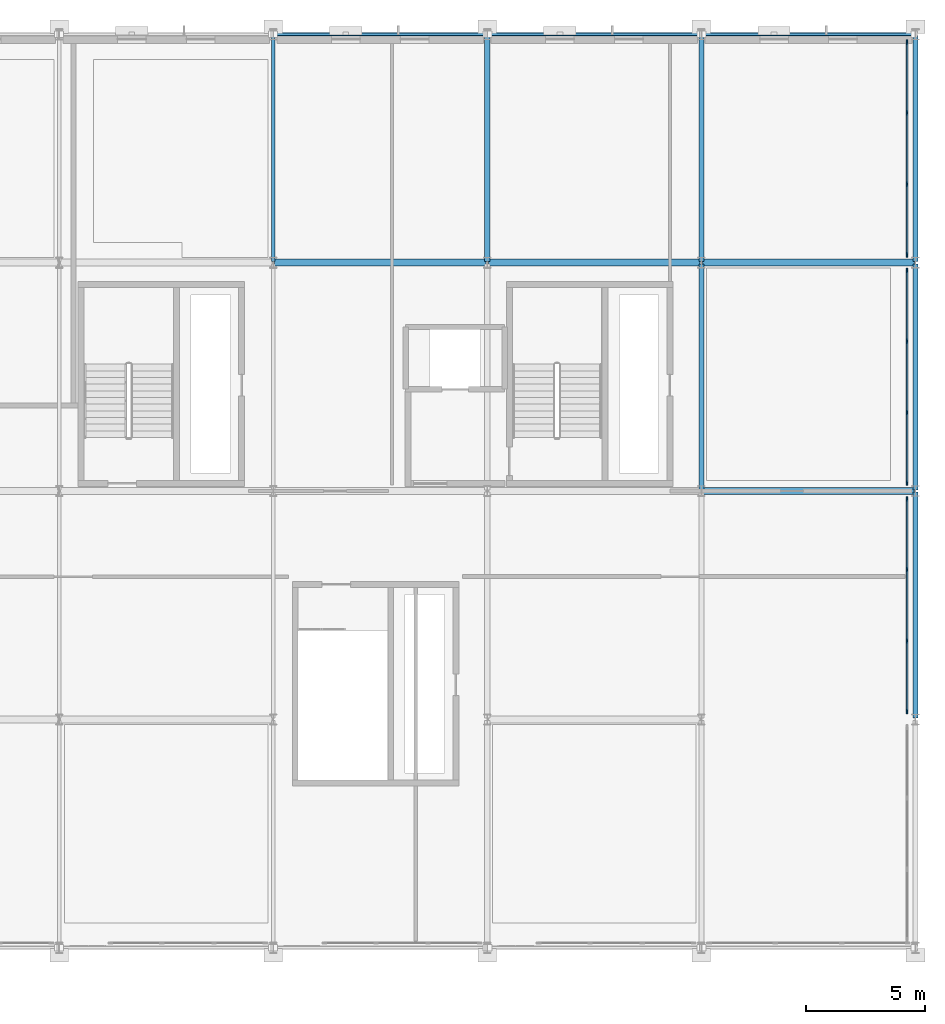
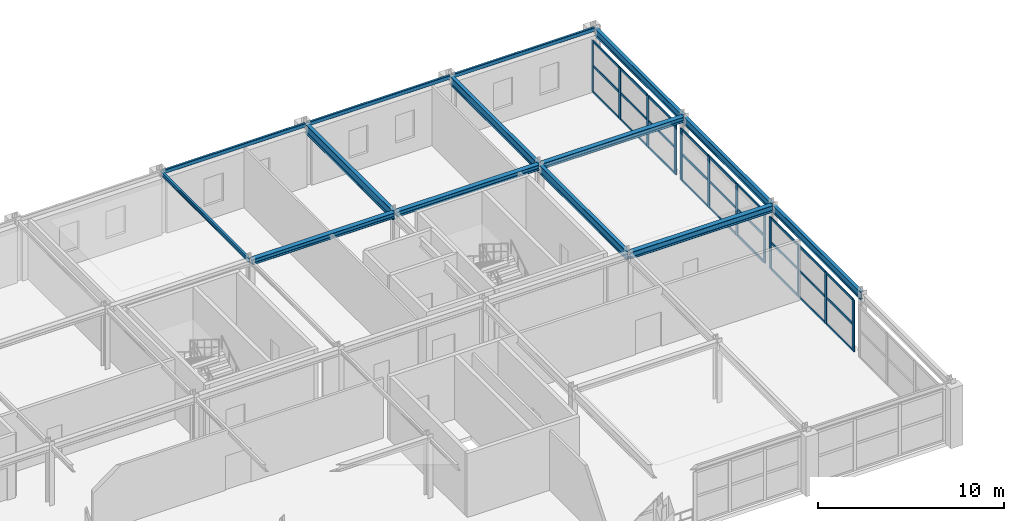
# One storey, part 33 of 81: 39 members, 14 beams, 3 elements without a shape of their own.
"""IFC4 building model written with IfcOpenShell, lengths in metres."""

from ifc_helpers import new_model, si_unit, direction, frame, origin, origin_2d, place, context, subcontext, project, spatial, rectangle, hollow_rectangle, i_section, extrude, material, layer, layer_set, material_profile, profile_set, type_object, element, aggregate, save


model = new_model("IFC4")

# Units and contexts
model_context = context("Model", 3, precision=1e-05, world=origin(), true_north=direction((0.0, 1.0)))
body_context = subcontext(model_context, "Body", "Model", "MODEL_VIEW")
ifc_project = project(units=[si_unit("LENGTHUNIT", "METRE"), si_unit("AREAUNIT", "SQUARE_METRE"), si_unit("VOLUMEUNIT", "CUBIC_METRE"), si_unit("PLANEANGLEUNIT", "RADIAN"), si_unit("MASSUNIT", "GRAM", prefix="KILO")], contexts=[model_context])

# Site, building, storey
site_placement = place(None, origin())
site = spatial("IfcSite", under=ifc_project, at=site_placement, CompositionType="ELEMENT")
building_placement = place(site_placement, origin())
building = spatial("IfcBuilding", under=site, at=building_placement, Name="Myrtia Square Station", CompositionType="ELEMENT")
storey_placement = place(building_placement, frame((0.0, 0.0, 10.800048828125)))
storey = spatial("IfcBuildingStorey", under=building, at=storey_placement, Name="L02", CompositionType="ELEMENT", Elevation=10.800048828125)

# Beams
ifc_material_1 = material(Name="Steel S355", Category="steel")
ifc_material_profile_1 = material_profile(ifc_material_1, i_section(OverallWidth=0.300048828125, OverallDepth=0.35009765625, WebThickness=0.010009765625, FlangeThickness=0.017578125, FilletRadius=0.027099609375, at=origin_2d()), Name="HEA 360")
ifc_profile_set_1 = profile_set([ifc_material_profile_1], Name="Steel S355")
beam_type_1 = type_object("IfcBeamType", Name="BM-HEA360", PredefinedType="BEAM", material=ifc_profile_set_1)
for number, where, z_axis, x_axis, name in (
    (1, (162.050048828125, 115.199951171875, 3.784912109375), (1.0, 0.0, 0.0), (0.0, 1.0, 0.0), "Structural girder BMX-L02-0769"),
    (2, (171.050048828125, 115.199951171875, 3.784912109375), (1.0, 0.0, 0.0), (0.0, 1.0, 0.0), "Structural girder BMX-L02-0770"),
    (3, (180.050048828125, 115.199951171875, 3.784912109375), (1.0, 0.0, 0.0), (0.0, 1.0, 0.0), "Structural girder BMX-L02-0771"),
):
    element("IfcBeam", number, at=place(storey_placement, frame(where, z_axis=z_axis, x_axis=x_axis)), inside=storey, type_object=beam_type_1, Name=name, PredefinedType="BEAM", context=body_context, shape_type="SweptSolid", body=[
        extrude(i_section(OverallWidth=0.300048828125, OverallDepth=0.35009765625, WebThickness=0.010009765625, FlangeThickness=0.017578125, FilletRadius=0.027099609375, at=origin_2d()), origin(), (0.0, 0.0, 1.0), 8.89990234375),
    ])
ifc_material_profile_2 = material_profile(ifc_material_1, i_section(OverallWidth=0.300048828125, OverallDepth=0.43994140625, WebThickness=0.011474609375, FlangeThickness=0.02099609375, FilletRadius=0.027099609375, at=origin_2d()), Name="HEA 450")
ifc_profile_set_2 = profile_set([ifc_material_profile_2], Name="Steel S355")
beam_type_2 = type_object("IfcBeamType", Name="BM-HEA450", PredefinedType="BEAM", material=ifc_profile_set_2)
beam_1_placement = place(storey_placement, frame((180.050048828125, 105.60009765625, 3.739990234375), z_axis=(1.0, 0.0, 0.0), x_axis=(0.0, 1.0, 0.0)))
element("IfcBeam", 4, at=beam_1_placement, inside=storey, type_object=beam_type_2, Name="Structural girder BMX-L02-0763", PredefinedType="BEAM", context=body_context, shape_type="SweptSolid", body=[
    extrude(i_section(OverallWidth=0.300048828125, OverallDepth=0.43994140625, WebThickness=0.011474609375, FlangeThickness=0.02099609375, FilletRadius=0.027099609375, at=origin_2d()), origin(), (0.0, 0.0, 1.0), 8.89990234375),
])
ifc_material_profile_3 = material_profile(ifc_material_1, i_section(OverallWidth=0.135009765625, OverallDepth=0.27001953125, WebThickness=0.006591796875, FlangeThickness=0.01025390625, FilletRadius=0.014892578125, at=origin_2d()), Name="IPE 270")
ifc_profile_set_3 = profile_set([ifc_material_profile_3], Name="Steel S355")
beam_type_3 = type_object("IfcBeamType", Name="BM-IPE270", PredefinedType="BEAM", material=ifc_profile_set_3)
beam_2_placement = place(storey_placement, frame((162.0, 115.25, 3.824951171875), z_axis=(0.0, 1.0, 0.0), x_axis=(-1.0, 0.0, 0.0)))
element("IfcBeam", 5, at=beam_2_placement, inside=storey, type_object=beam_type_3, Name="Structural girder BMY-L02-0794", PredefinedType="BEAM", context=body_context, shape_type="SweptSolid", body=[
    extrude(i_section(OverallWidth=0.135009765625, OverallDepth=0.27001953125, WebThickness=0.006591796875, FlangeThickness=0.01025390625, FilletRadius=0.014892578125, at=origin_2d()), origin(), (0.0, 0.0, 1.0), 9.5),
])
ifc_material_profile_4 = material_profile(ifc_material_1, i_section(OverallWidth=0.199951171875, OverallDepth=0.5, WebThickness=0.01025390625, FlangeThickness=0.01611328125, FilletRadius=0.02099609375, at=origin_2d()), Name="IPE 500")
ifc_profile_set_4 = profile_set([ifc_material_profile_4], Name="Steel S355")
beam_type_4 = type_object("IfcBeamType", Name="BM-IPE500", PredefinedType="BEAM", material=ifc_profile_set_4)
for number, where, z_axis, x_axis, name in (
    (6, (189.0, 96.050048828125, 3.7099609375), (0.0, 1.0, 0.0), (-1.0, 0.0, 0.0), "Structural girder BMY-L02-0804"),
    (7, (189.0, 105.64990234375, 3.7099609375), (0.0, 1.0, 0.0), (-1.0, 0.0, 0.0), "Structural girder BMY-L02-0805"),
    (8, (189.0, 115.25, 3.7099609375), (0.0, 1.0, 0.0), (-1.0, 0.0, 0.0), "Structural girder BMY-L02-0806"),
):
    element("IfcBeam", number, at=place(storey_placement, frame(where, z_axis=z_axis, x_axis=x_axis)), inside=storey, type_object=beam_type_4, Name=name, PredefinedType="BEAM", context=body_context, shape_type="SweptSolid", body=[
        extrude(i_section(OverallWidth=0.199951171875, OverallDepth=0.5, WebThickness=0.01025390625, FlangeThickness=0.01611328125, FilletRadius=0.02099609375, at=origin_2d()), origin(), (0.0, 0.0, 1.0), 9.5),
    ])
ifc_material_profile_5 = material_profile(ifc_material_1, i_section(OverallWidth=0.2099609375, OverallDepth=0.550048828125, WebThickness=0.010986328125, FlangeThickness=0.01708984375, FilletRadius=0.02392578125, at=origin_2d()), Name="IPE 550")
ifc_profile_set_5 = profile_set([ifc_material_profile_5], Name="Steel S355")
beam_type_5 = type_object("IfcBeamType", Name="BM-IPE550", PredefinedType="BEAM", material=ifc_profile_set_5)
for number, where, z_axis, x_axis, name in (
    (9, (180.0, 105.64990234375, 3.68505859375), (0.0, 1.0, 0.0), (-1.0, 0.0, 0.0), "Structural girder BMY-L02-0801"),
    (10, (180.0, 115.25, 3.68505859375), (0.0, 1.0, 0.0), (-1.0, 0.0, 0.0), "Structural girder BMY-L02-0802"),
):
    element("IfcBeam", number, at=place(storey_placement, frame(where, z_axis=z_axis, x_axis=x_axis)), inside=storey, type_object=beam_type_5, Name=name, PredefinedType="BEAM", context=body_context, shape_type="SweptSolid", body=[
        extrude(i_section(OverallWidth=0.2099609375, OverallDepth=0.550048828125, WebThickness=0.010986328125, FlangeThickness=0.01708984375, FilletRadius=0.02392578125, at=origin_2d()), origin(), (0.0, 0.0, 1.0), 9.5),
    ])
ifc_material_profile_6 = material_profile(ifc_material_1, i_section(OverallWidth=0.219970703125, OverallDepth=0.60009765625, WebThickness=0.011962890625, FlangeThickness=0.01904296875, FilletRadius=0.02392578125, at=origin_2d()), Name="IPE 600")
ifc_profile_set_6 = profile_set([ifc_material_profile_6], Name="Steel S355")
beam_type_6 = type_object("IfcBeamType", Name="BM-IPE600", PredefinedType="BEAM", material=ifc_profile_set_6)
beam_3_placement = place(storey_placement, frame((171.0, 115.25, 3.659912109375), z_axis=(0.0, 1.0, 0.0), x_axis=(-1.0, 0.0, 0.0)))
element("IfcBeam", 11, at=beam_3_placement, inside=storey, type_object=beam_type_6, Name="Structural girder BMY-L02-0798", PredefinedType="BEAM", context=body_context, shape_type="SweptSolid", body=[
    extrude(i_section(OverallWidth=0.219970703125, OverallDepth=0.60009765625, WebThickness=0.011962890625, FlangeThickness=0.01904296875, FilletRadius=0.02392578125, at=origin_2d()), origin(), (0.0, 0.0, 1.0), 9.5),
])

# Curtain wall, members
ifc_material_2 = material(Name="Dark bronze anodised aluminium", Category="aluminium")
ifc_layer = layer(ifc_material_2, 0.159912109375, Name="Dark bronze anodised aluminium")
ifc_layer_set = layer_set([ifc_layer], Name="Dark bronze anodised aluminium")
curtain_wall_type = type_object("IfcCurtainWallType", Name="CW-TYPE-49-900x340", PredefinedType="USERDEFINED", material=ifc_layer_set)
curtain_wall_1_placement = place(storey_placement, origin())
curtain_wall_1 = element("IfcCurtainWall", 12, at=curtain_wall_1_placement, inside=storey, type_object=curtain_wall_type, Name="Concourse curtain wall CW-L02-160", ObjectType="CONCOURSE CURTAIN WALL", PredefinedType="USERDEFINED")
ifc_material_profile_7 = material_profile(ifc_material_2, rectangle(XDim=0.06494140625, YDim=0.199951171875, at=origin_2d()), Name="ALU-M 65x200")
ifc_profile_set_7 = profile_set([ifc_material_profile_7], Name="Dark bronze anodised aluminium")
member_type_1 = type_object("IfcMemberType", Name="CWM-65x200", PredefinedType="MULLION", material=ifc_profile_set_7)
member_1_placement = place(storey_placement, frame((188.64990234375, 96.33251953125, 0.0), z_axis=(0.0, 0.0, 1.0), x_axis=(-1.0, 0.0, 0.0)))
member_1 = element("IfcMember", 13, at=member_1_placement, type_object=member_type_1, Name="CW-160 mullion 1", PredefinedType="MULLION", context=body_context, shape_type="SweptSolid", body=[
    extrude(rectangle(XDim=0.06494140625, YDim=0.199951171875, at=origin_2d()), origin(), (0.0, 0.0, 1.0), 3.39990234375),
])
member_2_placement = place(storey_placement, frame((188.64990234375, 99.300048828125, 0.0), z_axis=(0.0, 0.0, 1.0), x_axis=(-1.0, 0.0, 0.0)))
member_2 = element("IfcMember", 14, at=member_2_placement, type_object=member_type_1, Name="CW-160 mullion 2", PredefinedType="MULLION", context=body_context, shape_type="SweptSolid", body=[
    extrude(rectangle(XDim=0.06494140625, YDim=0.199951171875, at=origin_2d()), origin(), (0.0, 0.0, 1.0), 3.39990234375),
])
member_3_placement = place(storey_placement, frame((188.64990234375, 102.300048828125, 0.0), z_axis=(0.0, 0.0, 1.0), x_axis=(-1.0, 0.0, 0.0)))
member_3 = element("IfcMember", 15, at=member_3_placement, type_object=member_type_1, Name="CW-160 mullion 3", PredefinedType="MULLION", context=body_context, shape_type="SweptSolid", body=[
    extrude(rectangle(XDim=0.06494140625, YDim=0.199951171875, at=origin_2d()), origin(), (0.0, 0.0, 1.0), 3.39990234375),
])
member_4_placement = place(storey_placement, frame((188.64990234375, 105.267578125, 0.0), z_axis=(0.0, 0.0, 1.0), x_axis=(-1.0, 0.0, 0.0)))
member_4 = element("IfcMember", 16, at=member_4_placement, type_object=member_type_1, Name="CW-160 mullion 4", PredefinedType="MULLION", context=body_context, shape_type="SweptSolid", body=[
    extrude(rectangle(XDim=0.06494140625, YDim=0.199951171875, at=origin_2d()), origin(), (0.0, 0.0, 1.0), 3.39990234375),
])

curtain_wall_2_placement = place(storey_placement, origin())
curtain_wall_2 = element("IfcCurtainWall", 17, at=curtain_wall_2_placement, inside=storey, type_object=curtain_wall_type, Name="Concourse curtain wall CW-L02-162", ObjectType="CONCOURSE CURTAIN WALL", PredefinedType="USERDEFINED")
member_5_placement = place(storey_placement, frame((188.64990234375, 105.9326171875, 0.0), z_axis=(0.0, 0.0, 1.0), x_axis=(-1.0, 0.0, 0.0)))
member_5 = element("IfcMember", 18, at=member_5_placement, type_object=member_type_1, Name="CW-162 mullion 1", PredefinedType="MULLION", context=body_context, shape_type="SweptSolid", body=[
    extrude(rectangle(XDim=0.06494140625, YDim=0.199951171875, at=origin_2d()), origin(), (0.0, 0.0, 1.0), 3.39990234375),
])
member_6_placement = place(storey_placement, frame((188.64990234375, 108.89990234375, 0.0), z_axis=(0.0, 0.0, 1.0), x_axis=(-1.0, 0.0, 0.0)))
member_6 = element("IfcMember", 19, at=member_6_placement, type_object=member_type_1, Name="CW-162 mullion 2", PredefinedType="MULLION", context=body_context, shape_type="SweptSolid", body=[
    extrude(rectangle(XDim=0.06494140625, YDim=0.199951171875, at=origin_2d()), origin(), (0.0, 0.0, 1.0), 3.39990234375),
])
member_7_placement = place(storey_placement, frame((188.64990234375, 111.89990234375, 0.0), z_axis=(0.0, 0.0, 1.0), x_axis=(-1.0, 0.0, 0.0)))
member_7 = element("IfcMember", 20, at=member_7_placement, type_object=member_type_1, Name="CW-162 mullion 3", PredefinedType="MULLION", context=body_context, shape_type="SweptSolid", body=[
    extrude(rectangle(XDim=0.06494140625, YDim=0.199951171875, at=origin_2d()), origin(), (0.0, 0.0, 1.0), 3.39990234375),
])
member_8_placement = place(storey_placement, frame((188.64990234375, 114.867431640625, 0.0), z_axis=(0.0, 0.0, 1.0), x_axis=(-1.0, 0.0, 0.0)))
member_8 = element("IfcMember", 21, at=member_8_placement, type_object=member_type_1, Name="CW-162 mullion 4", PredefinedType="MULLION", context=body_context, shape_type="SweptSolid", body=[
    extrude(rectangle(XDim=0.06494140625, YDim=0.199951171875, at=origin_2d()), origin(), (0.0, 0.0, 1.0), 3.39990234375),
])

curtain_wall_3_placement = place(storey_placement, origin())
curtain_wall_3 = element("IfcCurtainWall", 22, at=curtain_wall_3_placement, inside=storey, type_object=curtain_wall_type, Name="Concourse curtain wall CW-L02-164", ObjectType="CONCOURSE CURTAIN WALL", PredefinedType="USERDEFINED")
member_9_placement = place(storey_placement, frame((188.64990234375, 115.532470703125, 0.0), z_axis=(0.0, 0.0, 1.0), x_axis=(-1.0, 0.0, 0.0)))
member_9 = element("IfcMember", 23, at=member_9_placement, type_object=member_type_1, Name="CW-164 mullion 1", PredefinedType="MULLION", context=body_context, shape_type="SweptSolid", body=[
    extrude(rectangle(XDim=0.06494140625, YDim=0.199951171875, at=origin_2d()), origin(), (0.0, 0.0, 1.0), 3.39990234375),
])
member_10_placement = place(storey_placement, frame((188.64990234375, 118.5, 0.0), z_axis=(0.0, 0.0, 1.0), x_axis=(-1.0, 0.0, 0.0)))
member_10 = element("IfcMember", 24, at=member_10_placement, type_object=member_type_1, Name="CW-164 mullion 2", PredefinedType="MULLION", context=body_context, shape_type="SweptSolid", body=[
    extrude(rectangle(XDim=0.06494140625, YDim=0.199951171875, at=origin_2d()), origin(), (0.0, 0.0, 1.0), 3.39990234375),
])
member_11_placement = place(storey_placement, frame((188.64990234375, 121.5, 0.0), z_axis=(0.0, 0.0, 1.0), x_axis=(-1.0, 0.0, 0.0)))
member_11 = element("IfcMember", 25, at=member_11_placement, type_object=member_type_1, Name="CW-164 mullion 3", PredefinedType="MULLION", context=body_context, shape_type="SweptSolid", body=[
    extrude(rectangle(XDim=0.06494140625, YDim=0.199951171875, at=origin_2d()), origin(), (0.0, 0.0, 1.0), 3.39990234375),
])
member_12_placement = place(storey_placement, frame((188.64990234375, 124.467529296875, 0.0), z_axis=(0.0, 0.0, 1.0), x_axis=(-1.0, 0.0, 0.0)))
member_12 = element("IfcMember", 26, at=member_12_placement, type_object=member_type_1, Name="CW-164 mullion 4", PredefinedType="MULLION", context=body_context, shape_type="SweptSolid", body=[
    extrude(rectangle(XDim=0.06494140625, YDim=0.199951171875, at=origin_2d()), origin(), (0.0, 0.0, 1.0), 3.39990234375),
])

# Member
ifc_material_profile_8 = material_profile(ifc_material_2, rectangle(XDim=0.06494140625, YDim=0.14990234375, at=origin_2d()), Name="ALU-T 65x150")
ifc_profile_set_8 = profile_set([ifc_material_profile_8], Name="Dark bronze anodised aluminium")
member_type_2 = type_object("IfcMemberType", Name="CWT-65x150", PredefinedType="USERDEFINED", material=ifc_profile_set_8)
member_13_placement = place(storey_placement, frame((188.64990234375, 96.364990234375, 0.032470703125), z_axis=(0.0, 1.0, 0.0), x_axis=(-1.0, 0.0, 0.0)))
member_13 = element("IfcMember", 27, at=member_13_placement, type_object=member_type_2, Name="CW-160 transom 1.1", ObjectType="TRANSOM", PredefinedType="USERDEFINED", context=body_context, shape_type="SweptSolid", body=[
    extrude(rectangle(XDim=0.06494140625, YDim=0.14990234375, at=origin_2d()), origin(), (0.0, 0.0, 1.0), 2.902587890625),
])

member_14_placement = place(storey_placement, frame((188.64990234375, 96.364990234375, 1.76806640625), z_axis=(0.0, 1.0, 0.0), x_axis=(-1.0, 0.0, 0.0)))
member_14 = element("IfcMember", 28, at=member_14_placement, type_object=member_type_2, Name="CW-160 transom 1.2", ObjectType="TRANSOM", PredefinedType="USERDEFINED", context=body_context, shape_type="SweptSolid", body=[
    extrude(rectangle(XDim=0.06494140625, YDim=0.14990234375, at=origin_2d()), origin(), (0.0, 0.0, 1.0), 2.902587890625),
])

member_15_placement = place(storey_placement, frame((188.64990234375, 96.364990234375, 3.367431640625), z_axis=(0.0, 1.0, 0.0), x_axis=(-1.0, 0.0, 0.0)))
member_15 = element("IfcMember", 29, at=member_15_placement, type_object=member_type_2, Name="CW-160 transom 1.3", ObjectType="TRANSOM", PredefinedType="USERDEFINED", context=body_context, shape_type="SweptSolid", body=[
    extrude(rectangle(XDim=0.06494140625, YDim=0.14990234375, at=origin_2d()), origin(), (0.0, 0.0, 1.0), 2.902587890625),
])

member_16_placement = place(storey_placement, frame((188.64990234375, 99.33251953125, 0.032470703125), z_axis=(0.0, 1.0, 0.0), x_axis=(-1.0, 0.0, 0.0)))
member_16 = element("IfcMember", 30, at=member_16_placement, type_object=member_type_2, Name="CW-160 transom 2.1", ObjectType="TRANSOM", PredefinedType="USERDEFINED", context=body_context, shape_type="SweptSolid", body=[
    extrude(rectangle(XDim=0.06494140625, YDim=0.14990234375, at=origin_2d()), origin(), (0.0, 0.0, 1.0), 2.93505859375),
])

member_17_placement = place(storey_placement, frame((188.64990234375, 99.33251953125, 1.76806640625), z_axis=(0.0, 1.0, 0.0), x_axis=(-1.0, 0.0, 0.0)))
member_17 = element("IfcMember", 31, at=member_17_placement, type_object=member_type_2, Name="CW-160 transom 2.2", ObjectType="TRANSOM", PredefinedType="USERDEFINED", context=body_context, shape_type="SweptSolid", body=[
    extrude(rectangle(XDim=0.06494140625, YDim=0.14990234375, at=origin_2d()), origin(), (0.0, 0.0, 1.0), 2.93505859375),
])

member_18_placement = place(storey_placement, frame((188.64990234375, 99.33251953125, 3.367431640625), z_axis=(0.0, 1.0, 0.0), x_axis=(-1.0, 0.0, 0.0)))
member_18 = element("IfcMember", 32, at=member_18_placement, type_object=member_type_2, Name="CW-160 transom 2.3", ObjectType="TRANSOM", PredefinedType="USERDEFINED", context=body_context, shape_type="SweptSolid", body=[
    extrude(rectangle(XDim=0.06494140625, YDim=0.14990234375, at=origin_2d()), origin(), (0.0, 0.0, 1.0), 2.93505859375),
])

member_19_placement = place(storey_placement, frame((188.64990234375, 102.33251953125, 0.032470703125), z_axis=(0.0, 1.0, 0.0), x_axis=(-1.0, 0.0, 0.0)))
member_19 = element("IfcMember", 33, at=member_19_placement, type_object=member_type_2, Name="CW-160 transom 3.1", ObjectType="TRANSOM", PredefinedType="USERDEFINED", context=body_context, shape_type="SweptSolid", body=[
    extrude(rectangle(XDim=0.06494140625, YDim=0.14990234375, at=origin_2d()), origin(), (0.0, 0.0, 1.0), 2.902587890625),
])

member_20_placement = place(storey_placement, frame((188.64990234375, 102.33251953125, 1.76806640625), z_axis=(0.0, 1.0, 0.0), x_axis=(-1.0, 0.0, 0.0)))
member_20 = element("IfcMember", 34, at=member_20_placement, type_object=member_type_2, Name="CW-160 transom 3.2", ObjectType="TRANSOM", PredefinedType="USERDEFINED", context=body_context, shape_type="SweptSolid", body=[
    extrude(rectangle(XDim=0.06494140625, YDim=0.14990234375, at=origin_2d()), origin(), (0.0, 0.0, 1.0), 2.902587890625),
])

member_21_placement = place(storey_placement, frame((188.64990234375, 102.33251953125, 3.367431640625), z_axis=(0.0, 1.0, 0.0), x_axis=(-1.0, 0.0, 0.0)))
member_21 = element("IfcMember", 35, at=member_21_placement, type_object=member_type_2, Name="CW-160 transom 3.3", ObjectType="TRANSOM", PredefinedType="USERDEFINED", context=body_context, shape_type="SweptSolid", body=[
    extrude(rectangle(XDim=0.06494140625, YDim=0.14990234375, at=origin_2d()), origin(), (0.0, 0.0, 1.0), 2.902587890625),
])

aggregate(curtain_wall_1, [member_1, member_2, member_3, member_4, member_13, member_14, member_15, member_16, member_17, member_18, member_19, member_20, member_21])

member_22_placement = place(storey_placement, frame((188.64990234375, 105.965087890625, 0.032470703125), z_axis=(0.0, 1.0, 0.0), x_axis=(-1.0, 0.0, 0.0)))
member_22 = element("IfcMember", 36, at=member_22_placement, type_object=member_type_2, Name="CW-162 transom 1.1", ObjectType="TRANSOM", PredefinedType="USERDEFINED", context=body_context, shape_type="SweptSolid", body=[
    extrude(rectangle(XDim=0.06494140625, YDim=0.14990234375, at=origin_2d()), origin(), (0.0, 0.0, 1.0), 2.90234375),
])

member_23_placement = place(storey_placement, frame((188.64990234375, 105.965087890625, 1.76806640625), z_axis=(0.0, 1.0, 0.0), x_axis=(-1.0, 0.0, 0.0)))
member_23 = element("IfcMember", 37, at=member_23_placement, type_object=member_type_2, Name="CW-162 transom 1.2", ObjectType="TRANSOM", PredefinedType="USERDEFINED", context=body_context, shape_type="SweptSolid", body=[
    extrude(rectangle(XDim=0.06494140625, YDim=0.14990234375, at=origin_2d()), origin(), (0.0, 0.0, 1.0), 2.90234375),
])

member_24_placement = place(storey_placement, frame((188.64990234375, 105.965087890625, 3.367431640625), z_axis=(0.0, 1.0, 0.0), x_axis=(-1.0, 0.0, 0.0)))
member_24 = element("IfcMember", 38, at=member_24_placement, type_object=member_type_2, Name="CW-162 transom 1.3", ObjectType="TRANSOM", PredefinedType="USERDEFINED", context=body_context, shape_type="SweptSolid", body=[
    extrude(rectangle(XDim=0.06494140625, YDim=0.14990234375, at=origin_2d()), origin(), (0.0, 0.0, 1.0), 2.90234375),
])

member_25_placement = place(storey_placement, frame((188.64990234375, 108.9326171875, 0.032470703125), z_axis=(0.0, 1.0, 0.0), x_axis=(-1.0, 0.0, 0.0)))
member_25 = element("IfcMember", 39, at=member_25_placement, type_object=member_type_2, Name="CW-162 transom 2.1", ObjectType="TRANSOM", PredefinedType="USERDEFINED", context=body_context, shape_type="SweptSolid", body=[
    extrude(rectangle(XDim=0.06494140625, YDim=0.14990234375, at=origin_2d()), origin(), (0.0, 0.0, 1.0), 2.934814453125),
])

member_26_placement = place(storey_placement, frame((188.64990234375, 108.9326171875, 1.76806640625), z_axis=(0.0, 1.0, 0.0), x_axis=(-1.0, 0.0, 0.0)))
member_26 = element("IfcMember", 40, at=member_26_placement, type_object=member_type_2, Name="CW-162 transom 2.2", ObjectType="TRANSOM", PredefinedType="USERDEFINED", context=body_context, shape_type="SweptSolid", body=[
    extrude(rectangle(XDim=0.06494140625, YDim=0.14990234375, at=origin_2d()), origin(), (0.0, 0.0, 1.0), 2.934814453125),
])

member_27_placement = place(storey_placement, frame((188.64990234375, 108.9326171875, 3.367431640625), z_axis=(0.0, 1.0, 0.0), x_axis=(-1.0, 0.0, 0.0)))
member_27 = element("IfcMember", 41, at=member_27_placement, type_object=member_type_2, Name="CW-162 transom 2.3", ObjectType="TRANSOM", PredefinedType="USERDEFINED", context=body_context, shape_type="SweptSolid", body=[
    extrude(rectangle(XDim=0.06494140625, YDim=0.14990234375, at=origin_2d()), origin(), (0.0, 0.0, 1.0), 2.934814453125),
])

member_28_placement = place(storey_placement, frame((188.64990234375, 111.9326171875, 0.032470703125), z_axis=(0.0, 1.0, 0.0), x_axis=(-1.0, 0.0, 0.0)))
member_28 = element("IfcMember", 42, at=member_28_placement, type_object=member_type_2, Name="CW-162 transom 3.1", ObjectType="TRANSOM", PredefinedType="USERDEFINED", context=body_context, shape_type="SweptSolid", body=[
    extrude(rectangle(XDim=0.06494140625, YDim=0.14990234375, at=origin_2d()), origin(), (0.0, 0.0, 1.0), 2.90234375),
])

member_29_placement = place(storey_placement, frame((188.64990234375, 111.9326171875, 1.76806640625), z_axis=(0.0, 1.0, 0.0), x_axis=(-1.0, 0.0, 0.0)))
member_29 = element("IfcMember", 43, at=member_29_placement, type_object=member_type_2, Name="CW-162 transom 3.2", ObjectType="TRANSOM", PredefinedType="USERDEFINED", context=body_context, shape_type="SweptSolid", body=[
    extrude(rectangle(XDim=0.06494140625, YDim=0.14990234375, at=origin_2d()), origin(), (0.0, 0.0, 1.0), 2.90234375),
])

member_30_placement = place(storey_placement, frame((188.64990234375, 111.9326171875, 3.367431640625), z_axis=(0.0, 1.0, 0.0), x_axis=(-1.0, 0.0, 0.0)))
member_30 = element("IfcMember", 44, at=member_30_placement, type_object=member_type_2, Name="CW-162 transom 3.3", ObjectType="TRANSOM", PredefinedType="USERDEFINED", context=body_context, shape_type="SweptSolid", body=[
    extrude(rectangle(XDim=0.06494140625, YDim=0.14990234375, at=origin_2d()), origin(), (0.0, 0.0, 1.0), 2.90234375),
])

aggregate(curtain_wall_2, [member_5, member_6, member_7, member_8, member_22, member_23, member_24, member_25, member_26, member_27, member_28, member_29, member_30])

member_31_placement = place(storey_placement, frame((188.64990234375, 115.56494140625, 0.032470703125), z_axis=(0.0, 1.0, 0.0), x_axis=(-1.0, 0.0, 0.0)))
member_31 = element("IfcMember", 45, at=member_31_placement, type_object=member_type_2, Name="CW-164 transom 1.1", ObjectType="TRANSOM", PredefinedType="USERDEFINED", context=body_context, shape_type="SweptSolid", body=[
    extrude(rectangle(XDim=0.06494140625, YDim=0.14990234375, at=origin_2d()), origin(), (0.0, 0.0, 1.0), 2.902587890625),
])

member_32_placement = place(storey_placement, frame((188.64990234375, 115.56494140625, 1.76806640625), z_axis=(0.0, 1.0, 0.0), x_axis=(-1.0, 0.0, 0.0)))
member_32 = element("IfcMember", 46, at=member_32_placement, type_object=member_type_2, Name="CW-164 transom 1.2", ObjectType="TRANSOM", PredefinedType="USERDEFINED", context=body_context, shape_type="SweptSolid", body=[
    extrude(rectangle(XDim=0.06494140625, YDim=0.14990234375, at=origin_2d()), origin(), (0.0, 0.0, 1.0), 2.902587890625),
])

member_33_placement = place(storey_placement, frame((188.64990234375, 115.56494140625, 3.367431640625), z_axis=(0.0, 1.0, 0.0), x_axis=(-1.0, 0.0, 0.0)))
member_33 = element("IfcMember", 47, at=member_33_placement, type_object=member_type_2, Name="CW-164 transom 1.3", ObjectType="TRANSOM", PredefinedType="USERDEFINED", context=body_context, shape_type="SweptSolid", body=[
    extrude(rectangle(XDim=0.06494140625, YDim=0.14990234375, at=origin_2d()), origin(), (0.0, 0.0, 1.0), 2.902587890625),
])

member_34_placement = place(storey_placement, frame((188.64990234375, 118.532470703125, 0.032470703125), z_axis=(0.0, 1.0, 0.0), x_axis=(-1.0, 0.0, 0.0)))
member_34 = element("IfcMember", 48, at=member_34_placement, type_object=member_type_2, Name="CW-164 transom 2.1", ObjectType="TRANSOM", PredefinedType="USERDEFINED", context=body_context, shape_type="SweptSolid", body=[
    extrude(rectangle(XDim=0.06494140625, YDim=0.14990234375, at=origin_2d()), origin(), (0.0, 0.0, 1.0), 2.93505859375),
])

member_35_placement = place(storey_placement, frame((188.64990234375, 118.532470703125, 1.76806640625), z_axis=(0.0, 1.0, 0.0), x_axis=(-1.0, 0.0, 0.0)))
member_35 = element("IfcMember", 49, at=member_35_placement, type_object=member_type_2, Name="CW-164 transom 2.2", ObjectType="TRANSOM", PredefinedType="USERDEFINED", context=body_context, shape_type="SweptSolid", body=[
    extrude(rectangle(XDim=0.06494140625, YDim=0.14990234375, at=origin_2d()), origin(), (0.0, 0.0, 1.0), 2.93505859375),
])

member_36_placement = place(storey_placement, frame((188.64990234375, 118.532470703125, 3.367431640625), z_axis=(0.0, 1.0, 0.0), x_axis=(-1.0, 0.0, 0.0)))
member_36 = element("IfcMember", 50, at=member_36_placement, type_object=member_type_2, Name="CW-164 transom 2.3", ObjectType="TRANSOM", PredefinedType="USERDEFINED", context=body_context, shape_type="SweptSolid", body=[
    extrude(rectangle(XDim=0.06494140625, YDim=0.14990234375, at=origin_2d()), origin(), (0.0, 0.0, 1.0), 2.93505859375),
])

member_37_placement = place(storey_placement, frame((188.64990234375, 121.532470703125, 0.032470703125), z_axis=(0.0, 1.0, 0.0), x_axis=(-1.0, 0.0, 0.0)))
member_37 = element("IfcMember", 51, at=member_37_placement, type_object=member_type_2, Name="CW-164 transom 3.1", ObjectType="TRANSOM", PredefinedType="USERDEFINED", context=body_context, shape_type="SweptSolid", body=[
    extrude(rectangle(XDim=0.06494140625, YDim=0.14990234375, at=origin_2d()), origin(), (0.0, 0.0, 1.0), 2.902587890625),
])

member_38_placement = place(storey_placement, frame((188.64990234375, 121.532470703125, 1.76806640625), z_axis=(0.0, 1.0, 0.0), x_axis=(-1.0, 0.0, 0.0)))
member_38 = element("IfcMember", 52, at=member_38_placement, type_object=member_type_2, Name="CW-164 transom 3.2", ObjectType="TRANSOM", PredefinedType="USERDEFINED", context=body_context, shape_type="SweptSolid", body=[
    extrude(rectangle(XDim=0.06494140625, YDim=0.14990234375, at=origin_2d()), origin(), (0.0, 0.0, 1.0), 2.902587890625),
])

member_39_placement = place(storey_placement, frame((188.64990234375, 121.532470703125, 3.367431640625), z_axis=(0.0, 1.0, 0.0), x_axis=(-1.0, 0.0, 0.0)))
member_39 = element("IfcMember", 53, at=member_39_placement, type_object=member_type_2, Name="CW-164 transom 3.3", ObjectType="TRANSOM", PredefinedType="USERDEFINED", context=body_context, shape_type="SweptSolid", body=[
    extrude(rectangle(XDim=0.06494140625, YDim=0.14990234375, at=origin_2d()), origin(), (0.0, 0.0, 1.0), 2.902587890625),
])

aggregate(curtain_wall_3, [member_9, member_10, member_11, member_12, member_31, member_32, member_33, member_34, member_35, member_36, member_37, member_38, member_39])

# Beams
ifc_material_profile_9 = material_profile(ifc_material_1, hollow_rectangle(XDim=0.14990234375, YDim=0.25, WallThickness=0.012451171875, InnerFilletRadius=0.012451171875, OuterFilletRadius=0.02490234375, at=origin_2d()), Name="RHS 250x150x12.5")
ifc_profile_set_9 = profile_set([ifc_material_profile_9], Name="Steel S355")
beam_type_7 = type_object("IfcBeamType", Name="SPN-RHS250", PredefinedType="SPANDREL", material=ifc_profile_set_9)
for number, where, z_axis, x_axis, name in (
    (54, (162.050048828125, 124.800048828125, 3.8349609375), (1.0, 0.0, 0.0), (0.0, 1.0, 0.0), "Structural girder SPN-L02-0222"),
    (55, (171.050048828125, 124.800048828125, 3.8349609375), (1.0, 0.0, 0.0), (0.0, 1.0, 0.0), "Structural girder SPN-L02-0223"),
    (56, (180.050048828125, 124.800048828125, 3.8349609375), (1.0, 0.0, 0.0), (0.0, 1.0, 0.0), "Structural girder SPN-L02-0224"),
):
    element("IfcBeam", number, at=place(storey_placement, frame(where, z_axis=z_axis, x_axis=x_axis)), inside=storey, type_object=beam_type_7, Name=name, PredefinedType="SPANDREL", context=body_context, shape_type="SweptSolid", body=[
        extrude(hollow_rectangle(XDim=0.14990234375, YDim=0.25, WallThickness=0.012451171875, InnerFilletRadius=0.012451171875, OuterFilletRadius=0.02490234375, at=origin_2d()), origin(), (0.0, 0.0, 1.0), 8.89990234375),
    ])

save(model, "model.ifc")
